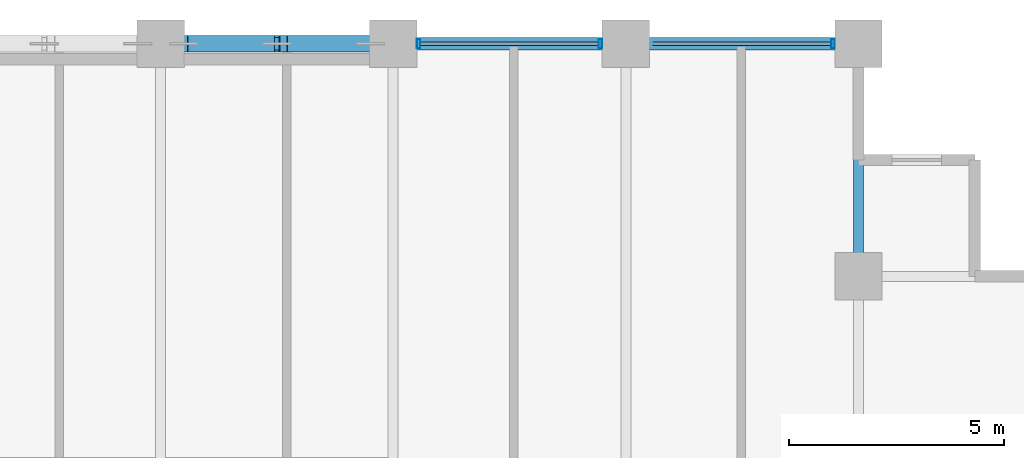
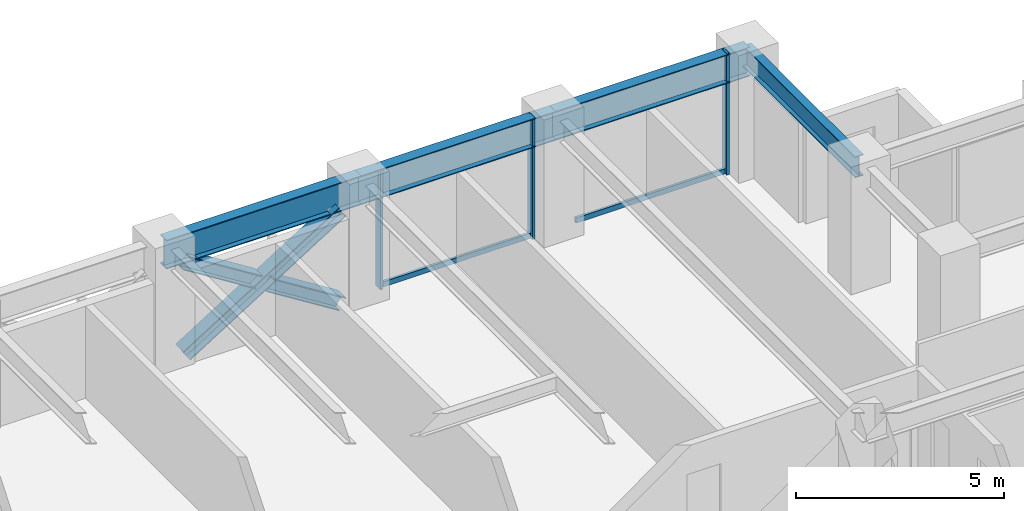
# One storey, part 16 of 25: 8 members, 4 beams, 1 element without a shape of its own.
"""IFC4 building model written with IfcOpenShell, lengths in metres."""

import ifcopenshell
import ifcopenshell.guid

model = None  # the IFC model being written
_history = None  # IfcOwnerHistory: only IFC2X3 demands one
_inside = {}  # id of a spatial element -> (the spatial element, [elements in it])
_under = {}  # id of a project, library or spatial element -> (it, [spatial elements below it])
_declared = {}  # id of a project -> (the project, [libraries it declares])
_typed = {}  # id of a type object -> (the type object, [elements of that type])
_made_of = {}  # id of a material, layer set ... -> (it, [elements and type objects made of it])


def new_model(schema):
    """Start an empty IFC model of exactly this schema.

    Asked for "IFC4X3", IfcOpenShell would pick the latest addendum, in which some entities
    have other attributes; the version numbers below select the first issue.
    IFC2X3 requires an IfcOwnerHistory on every rooted entity: one is made here for all.
    """
    global model, _history
    if schema == "IFC4X3":
        model = ifcopenshell.file(schema_version=(4, 3, 0, 0))
    else:
        model = ifcopenshell.file(schema=schema)
    _inside.clear()
    _under.clear()
    _declared.clear()
    _typed.clear()
    _made_of.clear()
    _history = None
    if model.schema == "IFC2X3":
        org = make("IfcOrganization", Name="unknown")
        user = make(
            "IfcPersonAndOrganization",
            ThePerson=make("IfcPerson", FamilyName="unknown"),
            TheOrganization=org,
        )
        app = make(
            "IfcApplication",
            ApplicationDeveloper=org,
            Version="unknown",
            ApplicationFullName="unknown",
            ApplicationIdentifier="unknown",
        )
        _history = make(
            "IfcOwnerHistory",
            OwningUser=user,
            OwningApplication=app,
            ChangeAction="ADDED",
            CreationDate=0,
        )
    return model


def make(cls, **values):
    """One entity of the class cls with the attributes given. An attribute that is None is left unset."""
    return model.create_entity(
        cls, **{name: value for name, value in values.items() if value is not None}
    )


def rooted(cls, **values):
    """An entity with a GlobalId (a new one), such as an element, a storey or a relation."""
    return make(cls, GlobalId=ifcopenshell.guid.new(), OwnerHistory=_history, **values)


def si_unit(unit_type, name, prefix=None):
    """IfcSIUnit, for example si_unit("LENGTHUNIT", "METRE", prefix="MILLI")."""
    return make("IfcSIUnit", UnitType=unit_type, Prefix=prefix, Name=name)


def assignment(units):
    """IfcUnitAssignment: the units of a project."""
    return None if units is None else make("IfcUnitAssignment", Units=units)


def point(xyz):
    """IfcCartesianPoint."""
    return None if xyz is None else make("IfcCartesianPoint", Coordinates=xyz)


def direction(xyz):
    """IfcDirection."""
    return None if xyz is None else make("IfcDirection", DirectionRatios=xyz)


def frame(location, z_axis=None, x_axis=None):
    """IfcAxis2Placement3D, a coordinate frame: its origin and axes. An axis left out is left unset."""
    return make(
        "IfcAxis2Placement3D",
        Location=point(location),
        Axis=direction(z_axis),
        RefDirection=direction(x_axis),
    )


def frame_2d(location, x_axis=None):
    """IfcAxis2Placement2D, a coordinate frame in the plane: its origin and x axis."""
    return make(
        "IfcAxis2Placement2D", Location=point(location), RefDirection=direction(x_axis)
    )


def origin():
    """The frame at (0, 0, 0) with its axes left unset."""
    return frame((0.0, 0.0, 0.0))


def origin_2d():
    """The frame at (0, 0) in the plane with its x axis left unset."""
    return frame_2d((0.0, 0.0))


def place(relative_to, where):
    """IfcLocalPlacement: puts the frame where relative to a parent placement (None: the world)."""
    return make(
        "IfcLocalPlacement", PlacementRelTo=relative_to, RelativePlacement=where
    )


def context(
    kind, dimensions, precision=None, world=None, true_north=None, identifier=None
):
    """IfcGeometricRepresentationContext, for example the 3D "Model" context."""
    return make(
        "IfcGeometricRepresentationContext",
        ContextIdentifier=identifier,
        ContextType=kind,
        CoordinateSpaceDimension=dimensions,
        Precision=precision,
        WorldCoordinateSystem=world,
        TrueNorth=true_north,
    )


def subcontext(parent, identifier, kind, view, scale=None):
    """IfcGeometricRepresentationSubContext, for example "Body" below "Model"."""
    return make(
        "IfcGeometricRepresentationSubContext",
        ContextIdentifier=identifier,
        ContextType=kind,
        ParentContext=parent,
        TargetScale=scale,
        TargetView=view,
    )


def project(units=None, contexts=None):
    """IfcProject with its units and contexts."""
    return rooted(
        "IfcProject",
        Name="project",
        RepresentationContexts=contexts,
        UnitsInContext=assignment(units),
    )


def spatial(cls, under=None, at=None, **own):
    """A site, building, storey or space (cls), placed at a placement, below another one or the project."""
    s = rooted(cls, ObjectPlacement=at, **own)
    if under is not None:
        _under.setdefault(under.id(), (under, []))[1].append(s)
    return s


def profile(cls, at=None, kind="AREA", **sizes):
    """A parametric profile (cls). Its sizes go by their IFC names, for example OverallWidth=200.0."""
    return make(cls, ProfileType=kind, Position=at, **sizes)


def hollow_rectangle(**sizes):
    """IfcRectangleHollowProfileDef."""
    return profile("IfcRectangleHollowProfileDef", **sizes)


def i_section(**sizes):
    """IfcIShapeProfileDef."""
    return profile("IfcIShapeProfileDef", **sizes)


def extrude(swept, where, along, depth):
    """IfcExtrudedAreaSolid: the profile swept, set in the frame where, extruded along a direction by depth."""
    return make(
        "IfcExtrudedAreaSolid",
        SweptArea=swept,
        Position=where,
        ExtrudedDirection=direction(along),
        Depth=depth,
    )


def shape(context_of_items, identifier, shape_type, items):
    """IfcShapeRepresentation: the items that make up one representation, for example the "Body"."""
    return make(
        "IfcShapeRepresentation",
        ContextOfItems=context_of_items,
        RepresentationIdentifier=identifier,
        RepresentationType=shape_type,
        Items=items,
    )


def material(Name=None, Category=None):
    """IfcMaterial."""
    return make("IfcMaterial", Name=Name, Category=Category)


def layer(
    of_material, thickness, ventilated=None, Name=None, Category=None, Priority=None
):
    """IfcMaterialLayer: one layer of a wall or slab, of a material (None: an air gap)."""
    return make(
        "IfcMaterialLayer",
        Material=of_material,
        LayerThickness=thickness,
        IsVentilated=ventilated,
        Name=Name,
        Category=Category,
        Priority=Priority,
    )


def layer_set(layers, Name=None):
    """IfcMaterialLayerSet."""
    return make("IfcMaterialLayerSet", MaterialLayers=layers, LayerSetName=Name)


def material_profile(
    of_material, cross_section, Name=None, Category=None, Priority=None
):
    """IfcMaterialProfile: a cross section and its material."""
    return make(
        "IfcMaterialProfile",
        Name=Name,
        Material=of_material,
        Profile=cross_section,
        Priority=Priority,
        Category=Category,
    )


def profile_set(profiles, Name=None, composite=None):
    """IfcMaterialProfileSet."""
    return make(
        "IfcMaterialProfileSet",
        Name=Name,
        MaterialProfiles=profiles,
        CompositeProfile=composite,
    )


def made_of(thing, what):
    """Note that an element or type object is made of a material, layer set ...; save() writes the relation."""
    if what is not None:
        _made_of.setdefault(what.id(), (what, []))[1].append(thing)
    return thing


def type_object(cls, material=None, **own):
    """A type object (cls), such as IfcWallType, which elements share."""
    return made_of(rooted(cls, **own), material)


def element(
    cls,
    number,
    at=None,
    inside=None,
    cuts=None,
    type_object=None,
    material=None,
    context=None,
    identifier="Body",
    shape_type=None,
    held_by="IfcProductDefinitionShape",
    body=None,
    shapes=None,
    **own,
):
    """One element of the class cls, such as IfcWall. Its Tag is "e" and its number.

    at: its placement. inside: the storey or other place that contains it. cuts: it is an
    opening in that element (IfcRelVoidsElement). A single representation is given by context,
    identifier, shape_type and body (its items); several are given by shapes. held_by: the class
    of the entity that holds the representations. save() writes the other relations.
    """
    e = rooted(cls, Tag="e%d" % number, ObjectPlacement=at, **own)
    if body is not None:
        shapes = [shape(context, identifier, shape_type, body)]
    if shapes is not None:
        e.Representation = make(held_by, Representations=shapes)
    if inside is not None:
        _inside.setdefault(inside.id(), (inside, []))[1].append(e)
    if cuts is not None:
        rooted(
            "IfcRelVoidsElement", RelatingBuildingElement=cuts, RelatedOpeningElement=e
        )
    if type_object is not None:
        _typed.setdefault(type_object.id(), (type_object, []))[1].append(e)
    return made_of(e, material)


def aggregate(whole, parts):
    """IfcRelAggregates: a whole, such as a stair, and the parts it consists of."""
    return rooted("IfcRelAggregates", RelatingObject=whole, RelatedObjects=parts)


def save(model, path):
    """Write the relations noted so far, then the file.

    IfcRelAggregates (storeys below a building ...), IfcRelContainedInSpatialStructure (elements
    in a storey), IfcRelDefinesByType, IfcRelAssociatesMaterial and IfcRelDeclares: one each for
    every whole, place, type object, material and project.
    """
    for whole, parts in _under.values():
        aggregate(whole, parts)
    for where, things in _inside.values():
        rooted(
            "IfcRelContainedInSpatialStructure",
            RelatedElements=things,
            RelatingStructure=where,
        )
    for kind, things in _typed.values():
        rooted("IfcRelDefinesByType", RelatedObjects=things, RelatingType=kind)
    for what, things in _made_of.values():
        rooted("IfcRelAssociatesMaterial", RelatedObjects=things, RelatingMaterial=what)
    for by, libraries in _declared.values():
        rooted("IfcRelDeclares", RelatingContext=by, RelatedDefinitions=libraries)
    model.write(path)


model = new_model("IFC4")

# Units and contexts
model_context = context("Model", 3, precision=1e-05, world=origin(), true_north=direction((0.0, 1.0)))
body_context = subcontext(model_context, "Body", "Model", "MODEL_VIEW")
ifc_project = project(units=[si_unit("LENGTHUNIT", "METRE"), si_unit("AREAUNIT", "SQUARE_METRE"), si_unit("VOLUMEUNIT", "CUBIC_METRE"), si_unit("PLANEANGLEUNIT", "RADIAN"), si_unit("MASSUNIT", "GRAM", prefix="KILO")], contexts=[model_context])

# Site, building, storey
site_placement = place(None, origin())
site = spatial("IfcSite", under=ifc_project, at=site_placement, CompositionType="ELEMENT")
building_placement = place(site_placement, origin())
building = spatial("IfcBuilding", under=site, at=building_placement, Name="Surkhivell Harbour Commons", CompositionType="ELEMENT")
storey_placement = place(building_placement, frame((0.0, 0.0, 117.0)))
storey = spatial("IfcBuildingStorey", under=building, at=storey_placement, Name="L30", CompositionType="ELEMENT", Elevation=117.0)

# Beams
ifc_material_1 = material(Name="Steel S355", Category="steel")
ifc_material_profile_1 = material_profile(ifc_material_1, i_section(OverallWidth=0.22998046875, OverallDepth=0.616943359375, WebThickness=0.01318359375, FlangeThickness=0.022216796875, at=origin_2d()), Name="UB610x229x140")
ifc_profile_set_1 = profile_set([ifc_material_profile_1], Name="Steel S355")
beam_type_1 = type_object("IfcBeamType", Name="BM-GRD-610B", PredefinedType="BEAM", material=ifc_profile_set_1)
beam_1_placement = place(storey_placement, frame((16.199951171875, 20.5, 3.261474609375), z_axis=(0.0, 1.0, 0.0), x_axis=(-1.0, 0.0, 0.0)))
element("IfcBeam", 1, at=beam_1_placement, inside=storey, type_object=beam_type_1, Name="L30 Floor Girder (16.2,20.5)", PredefinedType="BEAM", context=body_context, shape_type="SweptSolid", body=[
    extrude(i_section(OverallWidth=0.22998046875, OverallDepth=0.616943359375, WebThickness=0.01318359375, FlangeThickness=0.022216796875, at=origin_2d()), origin(), (0.0, 0.0, 1.0), 5.39990234375),
])
ifc_material_2 = material(Name="Steel S460", Category="steel")
ifc_material_profile_2 = material_profile(ifc_material_2, i_section(OverallWidth=0.2939453125, OverallDepth=0.85107421875, WebThickness=0.01611328125, FlangeThickness=0.02685546875, at=origin_2d()), Name="UB838x292x226")
ifc_profile_set_2 = profile_set([ifc_material_profile_2], Name="Steel S460")
beam_type_2 = type_object("IfcBeamType", Name="BM-SPN-838", PredefinedType="SPANDREL", material=ifc_profile_set_2)
beam_2_placement = place(storey_placement, frame((0.0, 25.89990234375, 3.14453125), z_axis=(1.0, 0.0, 0.0), x_axis=(0.0, 1.0, 0.0)))
element("IfcBeam", 2, at=beam_2_placement, inside=storey, type_object=beam_type_2, Name="L30 Tube Spandrel (-0.0,25.9)", PredefinedType="SPANDREL", context=body_context, shape_type="SweptSolid", body=[
    extrude(i_section(OverallWidth=0.2939453125, OverallDepth=0.85107421875, WebThickness=0.01611328125, FlangeThickness=0.02685546875, at=origin_2d()), origin(), (0.0, 0.0, 1.0), 5.39990234375),
])
beam_3_placement = place(storey_placement, frame((5.39990234375, 25.89990234375, 3.14453125), z_axis=(1.0, 0.0, 0.0), x_axis=(0.0, 1.0, 0.0)))
element("IfcBeam", 3, at=beam_3_placement, inside=storey, type_object=beam_type_2, Name="L30 Tube Spandrel (5.4,25.9)", PredefinedType="SPANDREL", context=body_context, shape_type="SweptSolid", body=[
    extrude(i_section(OverallWidth=0.2939453125, OverallDepth=0.85107421875, WebThickness=0.01611328125, FlangeThickness=0.02685546875, at=origin_2d()), origin(), (0.0, 0.0, 1.0), 5.400146484375),
])
beam_4_placement = place(storey_placement, frame((10.800048828125, 25.89990234375, 3.14453125), z_axis=(1.0, 0.0, 0.0), x_axis=(0.0, 1.0, 0.0)))
element("IfcBeam", 4, at=beam_4_placement, inside=storey, type_object=beam_type_2, Name="L30 Tube Spandrel (10.8,25.9)", PredefinedType="SPANDREL", context=body_context, shape_type="SweptSolid", body=[
    extrude(i_section(OverallWidth=0.2939453125, OverallDepth=0.85107421875, WebThickness=0.01611328125, FlangeThickness=0.02685546875, at=origin_2d()), origin(), (0.0, 0.0, 1.0), 5.39990234375),
])

# Curtain wall, members
ifc_material_3 = material(Name="Anodised pale-metal aluminium and insulated glazing", Category="aluminium")
ifc_layer = layer(ifc_material_3, 0.205078125)
ifc_layer_set = layer_set([ifc_layer], Name="Anodised pale-metal aluminium and insulated glazing")
curtain_wall_type = type_object("IfcCurtainWallType", Name="CW-SYS-Z2", PredefinedType="NOTDEFINED", material=ifc_layer_set)
curtain_wall_placement = place(storey_placement, origin())
curtain_wall = element("IfcCurtainWall", 5, at=curtain_wall_placement, inside=storey, type_object=curtain_wall_type, Name="L30 Curtain Wall CW-L30-E07S1", PredefinedType="NOTDEFINED")
ifc_material_4 = material(Name="Anodised pale-metal aluminium alloy 6063-T6", Category="aluminium")
ifc_material_profile_3 = material_profile(ifc_material_4, hollow_rectangle(XDim=0.074951171875, YDim=0.219970703125, WallThickness=0.00390625, at=origin_2d()), Name="ALU-MULL-75x220")
ifc_profile_set_3 = profile_set([ifc_material_profile_3], Name="Anodised pale-metal aluminium alloy 6063-T6")
member_type_1 = type_object("IfcMemberType", Name="CWM-220", PredefinedType="MULLION", material=ifc_profile_set_3)
member_1_placement = place(storey_placement, frame((15.610595703125, 25.89990234375, 0.0), z_axis=(0.0, 0.0, 1.0), x_axis=(-1.0, 0.0, 0.0)))
member_1 = element("IfcMember", 6, at=member_1_placement, type_object=member_type_1, Name="CW-Z2 mullion 1", PredefinedType="MULLION", context=body_context, shape_type="SweptSolid", body=[
    extrude(hollow_rectangle(XDim=0.074951171875, YDim=0.219970703125, WallThickness=0.00390625, at=origin_2d()), origin(), (0.0, 0.0, 1.0), 3.570068359375),
])
member_2_placement = place(storey_placement, frame((10.21044921875, 25.89990234375, 0.0), z_axis=(0.0, 0.0, 1.0), x_axis=(-1.0, 0.0, 0.0)))
member_2 = element("IfcMember", 7, at=member_2_placement, type_object=member_type_1, Name="CW-Z2 mullion 2", PredefinedType="MULLION", context=body_context, shape_type="SweptSolid", body=[
    extrude(hollow_rectangle(XDim=0.074951171875, YDim=0.219970703125, WallThickness=0.00390625, at=origin_2d()), origin(), (0.0, 0.0, 1.0), 3.570068359375),
])
member_3_placement = place(storey_placement, frame((5.989501953125, 25.89990234375, 0.0), z_axis=(0.0, 0.0, 1.0), x_axis=(-1.0, 0.0, 0.0)))
member_3 = element("IfcMember", 8, at=member_3_placement, type_object=member_type_1, Name="CW-Z2 mullion 3", PredefinedType="MULLION", context=body_context, shape_type="SweptSolid", body=[
    extrude(hollow_rectangle(XDim=0.074951171875, YDim=0.219970703125, WallThickness=0.00390625, at=origin_2d()), origin(), (0.0, 0.0, 1.0), 3.570068359375),
])
ifc_material_profile_4 = material_profile(ifc_material_4, hollow_rectangle(XDim=0.074951171875, YDim=0.14990234375, WallThickness=0.00341796875, at=origin_2d()), Name="ALU-TRAN-75x150")
ifc_profile_set_4 = profile_set([ifc_material_profile_4], Name="Anodised pale-metal aluminium alloy 6063-T6")
member_type_2 = type_object("IfcMemberType", Name="CWT-150", PredefinedType="USERDEFINED", material=ifc_profile_set_4)
member_4_placement = place(storey_placement, frame((15.572998046875, 25.89990234375, 0.074951171875), z_axis=(-1.0, 0.0, 0.0), x_axis=(0.0, -1.0, 0.0)))
member_4 = element("IfcMember", 9, at=member_4_placement, type_object=member_type_2, Name="CW-Z2 transom 1.1", ObjectType="TRANSOM", PredefinedType="USERDEFINED", context=body_context, shape_type="SweptSolid", body=[
    extrude(hollow_rectangle(XDim=0.074951171875, YDim=0.14990234375, WallThickness=0.00341796875, at=origin_2d()), origin(), (0.0, 0.0, 1.0), 4.14599609375),
])
member_5_placement = place(storey_placement, frame((10.173095703125, 25.89990234375, 0.074951171875), z_axis=(-1.0, 0.0, 0.0), x_axis=(0.0, -1.0, 0.0)))
member_5 = element("IfcMember", 10, at=member_5_placement, type_object=member_type_2, Name="CW-Z2 transom 2.1", ObjectType="TRANSOM", PredefinedType="USERDEFINED", context=body_context, shape_type="SweptSolid", body=[
    extrude(hollow_rectangle(XDim=0.074951171875, YDim=0.14990234375, WallThickness=0.00341796875, at=origin_2d()), origin(), (0.0, 0.0, 1.0), 4.14599609375),
])
aggregate(curtain_wall, [member_1, member_4, member_2, member_3, member_5])

# Members
ifc_material_profile_5 = material_profile(ifc_material_2, i_section(OverallWidth=0.375, OverallDepth=0.375, WebThickness=0.0166015625, FlangeThickness=0.027099609375, at=origin_2d()), Name="UC356x368x202")
ifc_profile_set_5 = profile_set([ifc_material_profile_5], Name="Steel S460")
member_type_3 = type_object("IfcMemberType", Name="MEM-BRC-UC356", PredefinedType="BRACE", material=ifc_profile_set_5)
member_6_placement = place(storey_placement, frame((0.534912109375, 25.89990234375, 0.008056640625), z_axis=(0.847246015888, 0.0, 0.531200704594), x_axis=(0.0, 1.0, 0.0)))
element("IfcMember", 11, at=member_6_placement, inside=storey, type_object=member_type_3, Name="L30 Perimeter Mega-Brace MB- 04", PredefinedType="BRACE", context=body_context, shape_type="SweptSolid", body=[
    extrude(i_section(OverallWidth=0.375, OverallDepth=0.375, WebThickness=0.0166015625, FlangeThickness=0.027099609375, at=origin_2d()), origin(), (0.0, 0.0, 1.0), 5.11083984375),
])
for number, where, z_axis, x_axis, name in (
    (12, (4.864990234375, 25.89990234375, 0.008056640625), (-0.847206308526, 0.0, 0.53126403115), (0.0, -1.0, 0.0), "L30 Perimeter Mega-Brace MB- 05"),
    (13, (2.547607421875, 25.89990234375, 1.461181640625), (-0.847281565812, 0.0, 0.531143999529), (0.0, -1.0, 0.0), "L30 Perimeter Mega-Brace MB- 06"),
):
    element("IfcMember", number, at=place(storey_placement, frame(where, z_axis=z_axis, x_axis=x_axis)), inside=storey, type_object=member_type_3, Name=name, PredefinedType="BRACE", context=body_context, shape_type="SweptSolid", body=[
        extrude(i_section(OverallWidth=0.375, OverallDepth=0.375, WebThickness=0.0166015625, FlangeThickness=0.027099609375, at=origin_2d()), origin(), (0.0, 0.0, 1.0), 2.37548828125),
    ])

save(model, "model.ifc")
